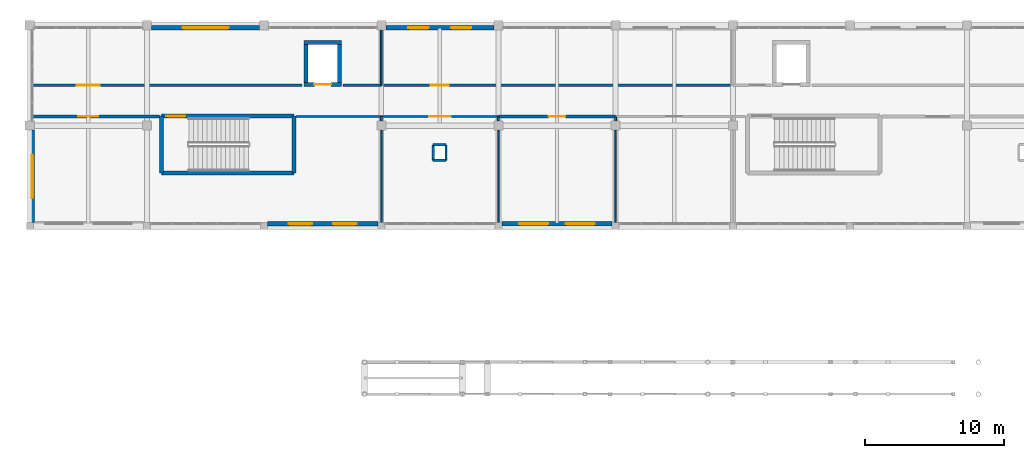
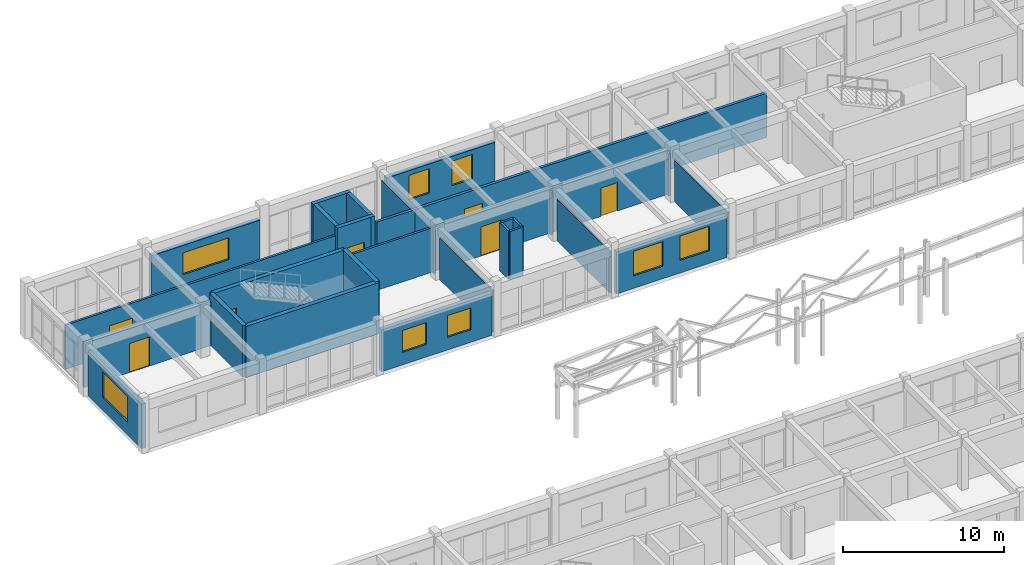
# One storey, part 76 of 89: 31 walls, 8 windows, 7 doors, 15 openings.
"""IFC4 building model written with IfcOpenShell, lengths in metres."""

from ifc_helpers import new_model, si_unit, direction, frame, frame_2d, origin, place, context, subcontext, project, spatial, rectangle, extrude, material, layer, layer_set, type_object, element, fill, save


model = new_model("IFC4")

# Units and contexts
model_context = context("Model", 3, precision=1e-05, world=origin(), true_north=direction((0.0, 1.0)))
body_context = subcontext(model_context, "Body", "Model", "MODEL_VIEW")
ifc_project = project(units=[si_unit("LENGTHUNIT", "METRE"), si_unit("AREAUNIT", "SQUARE_METRE"), si_unit("VOLUMEUNIT", "CUBIC_METRE"), si_unit("PLANEANGLEUNIT", "RADIAN"), si_unit("MASSUNIT", "GRAM", prefix="KILO")], contexts=[model_context])

# Site, building, storey
site_placement = place(None, origin())
site = spatial("IfcSite", under=ifc_project, at=site_placement, CompositionType="ELEMENT")
building_placement = place(site_placement, origin())
building = spatial("IfcBuilding", under=site, at=building_placement, Name="Malvenik Polytechnic", CompositionType="ELEMENT")
storey_placement = place(building_placement, frame((0.0, 0.0, 13.5)))
storey = spatial("IfcBuildingStorey", under=building, at=storey_placement, Name="L03", CompositionType="ELEMENT", Elevation=13.5)

# Wall, opening, door
ifc_material_1 = material(Name="Concrete C35/45", Category="concrete")
ifc_layer_1 = layer(ifc_material_1, 0.280029296875)
ifc_layer_set_1 = layer_set([ifc_layer_1], Name="Concrete C35/45")
wall_type_1 = type_object("IfcWallType", Name="ARC-CW-S280", PredefinedType="SHEAR", material=ifc_layer_set_1)
wall_1_placement = place(storey_placement, frame((22.340087890625, 125.35009765625, 0.0), z_axis=(0.0, 0.0, 1.0), x_axis=(-1.0, 0.0, 0.0)))
wall_1 = element("IfcWall", 1, at=wall_1_placement, inside=storey, type_object=wall_type_1, Name="Lift Shaft Shear Wall LS-01 L03 -Y", PredefinedType="SHEAR", context=body_context, shape_type="SweptSolid", body=[
    extrude(rectangle(XDim=2.68017578125, YDim=0.280029296875, at=frame_2d((1.340087890625, 0.0))), origin(), (0.0, 0.0, 1.0), 3.8798828125),
])
opening_1_placement = place(wall_1_placement, frame((0.739990234375, 0.0, 0.0)))
opening_1 = element("IfcOpeningElement", 2, at=opening_1_placement, cuts=wall_1, Name="Opening LD-02", PredefinedType="OPENING", context=body_context, shape_type="SweptSolid", body=[
    extrude(rectangle(XDim=1.199951171875, YDim=2.14990234375, at=frame_2d((0.60009765625, 1.074951171875))), frame((0.0, 0.14990234375, 0.0), z_axis=(0.0, -1.0, 0.0), x_axis=(1.0, 0.0, 0.0)), (0.0, 0.0, 1.0), 0.300048828125),
])
ifc_material_2 = material(Name="Stainless steel fire-rated sliding lift landing door", Category="steel")
door_type_1 = type_object("IfcDoorType", Name="ARC-LDR-LD-02", OperationType="NOTDEFINED", PredefinedType="DOOR", material=ifc_material_2)
door_1_placement = place(opening_1_placement, origin())
door_1 = element("IfcDoor", 3, at=door_1_placement, inside=storey, type_object=door_type_1, Name="Lift Sliding Landing Door LS-01 L03", OperationType="DOUBLE_DOOR_SLIDING", OverallHeight=2.14990234375, OverallWidth=1.199951171875, PredefinedType="DOOR", context=body_context, shape_type="SweptSolid", body=[
    extrude(rectangle(XDim=1.199951171875, YDim=2.14990234375, at=frame_2d((0.60009765625, 1.074951171875))), frame((0.0, 0.02490234375, 0.0), z_axis=(0.0, -1.0, 0.0), x_axis=(1.0, 0.0, 0.0)), (0.0, 0.0, 1.0), 0.050048828125),
])
fill(opening_1, door_1)

# Walls
wall_2_placement = place(storey_placement, frame((19.659912109375, 128.35009765625, 0.0), z_axis=(0.0, 0.0, 1.0), x_axis=(1.0, 0.0, 0.0)))
element("IfcWall", 4, at=wall_2_placement, inside=storey, type_object=wall_type_1, Name="Lift Shaft Shear Wall LS-01 L03 +Y", PredefinedType="SHEAR", context=body_context, shape_type="SweptSolid", body=[
    extrude(rectangle(XDim=2.68017578125, YDim=0.280029296875, at=frame_2d((1.340087890625, 0.0))), origin(), (0.0, 0.0, 1.0), 3.8798828125),
])
for number, where, z_axis, x_axis, name in (
    (5, (19.800048828125, 125.2099609375, 0.0), (0.0, 0.0, 1.0), (0.0, 1.0, 0.0), "Lift Shaft Shear Wall LS-01 L03 -X"),
    (6, (22.199951171875, 128.489990234375, 0.0), (0.0, 0.0, 1.0), (0.0, -1.0, 0.0), "Lift Shaft Shear Wall LS-01 L03 +X"),
):
    element("IfcWall", number, at=place(storey_placement, frame(where, z_axis=z_axis, x_axis=x_axis)), inside=storey, type_object=wall_type_1, Name=name, PredefinedType="SHEAR", context=body_context, shape_type="SweptSolid", body=[
        extrude(rectangle(XDim=3.280029296875, YDim=0.280029296875, at=frame_2d((1.64013671875, 0.0))), origin(), (0.0, 0.0, 1.0), 3.8798828125),
    ])
ifc_layer_2 = layer(ifc_material_1, 0.300048828125)
ifc_layer_set_2 = layer_set([ifc_layer_2], Name="Concrete C35/45")
wall_type_2 = type_object("IfcWallType", Name="ARC-CW-S300", PredefinedType="SHEAR", material=ifc_layer_set_2)
wall_3_placement = place(storey_placement, frame((9.449951171875, 119.0, 0.0), z_axis=(0.0, 0.0, 1.0), x_axis=(0.0, 1.0, 0.0)))
element("IfcWall", 7, at=wall_3_placement, inside=storey, type_object=wall_type_2, Name="Stair Core Shear Wall ST-01 L03 NEAR", PredefinedType="SHEAR", context=body_context, shape_type="SweptSolid", body=[
    extrude(rectangle(XDim=4.10009765625, YDim=0.300048828125, at=frame_2d((2.050048828125, 0.0))), origin(), (0.0, 0.0, 1.0), 3.8798828125),
])

# Wall, opening, door
wall_4_placement = place(storey_placement, frame((9.449951171875, 123.10009765625, 0.0), z_axis=(0.0, 0.0, 1.0), x_axis=(1.0, 0.0, 0.0)))
wall_4 = element("IfcWall", 8, at=wall_4_placement, inside=storey, type_object=wall_type_2, Name="Stair Core Shear Wall ST-01 L03 RGHT", PredefinedType="SHEAR", context=body_context, shape_type="SweptSolid", body=[
    extrude(rectangle(XDim=9.5, YDim=0.300048828125, at=frame_2d((4.75, 0.0))), origin(), (0.0, 0.0, 1.0), 3.8798828125),
])
opening_2_placement = place(wall_4_placement, frame((0.35009765625, 0.0, 0.0)))
opening_2 = element("IfcOpeningElement", 9, at=opening_2_placement, cuts=wall_4, Name="Opening SD-01", PredefinedType="OPENING", context=body_context, shape_type="SweptSolid", body=[
    extrude(rectangle(XDim=1.35009765625, YDim=2.199951171875, at=frame_2d((0.675048828125, 1.10009765625))), frame((0.0, 0.16015625, 0.0), z_axis=(0.0, -1.0, 0.0), x_axis=(1.0, 0.0, 0.0)), (0.0, 0.0, 1.0), 0.320068359375),
])
ifc_material_3 = material(Name="Fire-rated steel stair enclosure door", Category="steel")
door_type_2 = type_object("IfcDoorType", Name="ARC-IDR-SD-01", OperationType="NOTDEFINED", PredefinedType="DOOR", material=ifc_material_3)
door_2_placement = place(opening_2_placement, origin())
door_2 = element("IfcDoor", 10, at=door_2_placement, inside=storey, type_object=door_type_2, Name="Fire Stair Door ST-01 L03", OperationType="SINGLE_SWING_RIGHT", OverallHeight=2.199951171875, OverallWidth=1.35009765625, PredefinedType="DOOR", context=body_context, shape_type="SweptSolid", body=[
    extrude(rectangle(XDim=1.35009765625, YDim=2.199951171875, at=frame_2d((0.675048828125, 1.10009765625))), frame((0.0, 0.02490234375, 0.0), z_axis=(0.0, -1.0, 0.0), x_axis=(1.0, 0.0, 0.0)), (0.0, 0.0, 1.0), 0.050048828125),
])
fill(opening_2, door_2)

# Walls
wall_5_placement = place(storey_placement, frame((18.949951171875, 123.10009765625, 0.0), z_axis=(0.0, 0.0, 1.0), x_axis=(0.0, -1.0, 0.0)))
element("IfcWall", 11, at=wall_5_placement, inside=storey, type_object=wall_type_2, Name="Stair Core Shear Wall ST-01 L03 FAR", PredefinedType="SHEAR", context=body_context, shape_type="SweptSolid", body=[
    extrude(rectangle(XDim=4.10009765625, YDim=0.300048828125, at=frame_2d((2.050048828125, 0.0))), origin(), (0.0, 0.0, 1.0), 3.8798828125),
])
wall_6_placement = place(storey_placement, frame((18.949951171875, 119.0, 0.0), z_axis=(0.0, 0.0, 1.0), x_axis=(-1.0, 0.0, 0.0)))
element("IfcWall", 12, at=wall_6_placement, inside=storey, type_object=wall_type_2, Name="Stair Core Shear Wall ST-01 L03 LEFT", PredefinedType="SHEAR", context=body_context, shape_type="SweptSolid", body=[
    extrude(rectangle(XDim=9.5, YDim=0.300048828125, at=frame_2d((4.75, 0.0))), origin(), (0.0, 0.0, 1.0), 3.8798828125),
])

# Wall, openings, windows
ifc_material_4 = material(Name="Brick masonry M15", Category="masonry")
ifc_layer_3 = layer(ifc_material_4, 0.31005859375)
ifc_layer_set_3 = layer_set([ifc_layer_3], Name="Brick masonry M15")
wall_type_3 = type_object("IfcWallType", Name="ARC-EW-310", PredefinedType="SOLIDWALL", material=ifc_layer_set_3)
wall_7_placement = place(storey_placement, frame((41.751953125, 115.3701171875, 0.0), z_axis=(0.0, 0.0, 1.0), x_axis=(-1.0, 0.0, 0.0)))
wall_7 = element("IfcWall", 13, at=wall_7_placement, inside=storey, type_object=wall_type_3, Name="External Facade Wall EW-03 L03 #384", PredefinedType="SOLIDWALL", context=body_context, shape_type="SweptSolid", body=[
    extrude(rectangle(XDim=7.904052734375, YDim=0.31005859375, at=frame_2d((3.9521484375, 0.0))), origin(), (0.0, 0.0, 1.0), 3.159912109375),
])
opening_3_placement = place(wall_7_placement, frame((1.234619140625, 0.0, 0.949951171875)))
opening_3 = element("IfcOpeningElement", 14, at=opening_3_placement, cuts=wall_7, Name="Opening W-23", PredefinedType="OPENING", context=body_context, shape_type="SweptSolid", body=[
    extrude(rectangle(XDim=2.10009765625, YDim=1.85009765625, at=frame_2d((1.050048828125, 0.925048828125))), frame((0.0, 0.1650390625, 0.0), z_axis=(0.0, -1.0, 0.0), x_axis=(1.0, 0.0, 0.0)), (0.0, 0.0, 1.0), 0.330078125),
])
opening_4_placement = place(wall_7_placement, frame((4.5693359375, 0.0, 0.949951171875)))
opening_4 = element("IfcOpeningElement", 15, at=opening_4_placement, cuts=wall_7, Name="Opening W-23", PredefinedType="OPENING", context=body_context, shape_type="SweptSolid", body=[
    extrude(rectangle(XDim=2.10009765625, YDim=1.85009765625, at=frame_2d((1.050048828125, 0.925048828125))), frame((0.0, 0.1650390625, 0.0), z_axis=(0.0, -1.0, 0.0), x_axis=(1.0, 0.0, 0.0)), (0.0, 0.0, 1.0), 0.330078125),
])
ifc_material_5 = material(Name="Thermally broken aluminium frame with low-E double glazing", Category="aluminium")
window_type_1 = type_object("IfcWindowType", Name="ARC-WIN-W-23", PartitioningType="SINGLE_PANEL", PredefinedType="WINDOW", material=ifc_material_5)
window_1_placement = place(opening_3_placement, origin())
window_1 = element("IfcWindow", 16, at=window_1_placement, inside=storey, type_object=window_type_1, Name="Punched Window W-23 L03 #386", OverallHeight=1.85009765625, OverallWidth=2.10009765625, PartitioningType="SINGLE_PANEL", PredefinedType="WINDOW", context=body_context, shape_type="SweptSolid", body=[
    extrude(rectangle(XDim=2.10009765625, YDim=1.85009765625, at=frame_2d((1.050048828125, 0.925048828125))), frame((0.0, 0.030029296875, 0.0), z_axis=(0.0, -1.0, 0.0), x_axis=(1.0, 0.0, 0.0)), (0.0, 0.0, 1.0), 0.06005859375),
])
fill(opening_3, window_1)
window_2_placement = place(opening_4_placement, origin())
window_2 = element("IfcWindow", 17, at=window_2_placement, inside=storey, type_object=window_type_1, Name="Punched Window W-23 L03 #387", OverallHeight=1.85009765625, OverallWidth=2.10009765625, PartitioningType="SINGLE_PANEL", PredefinedType="WINDOW", context=body_context, shape_type="SweptSolid", body=[
    extrude(rectangle(XDim=2.10009765625, YDim=1.85009765625, at=frame_2d((1.050048828125, 0.925048828125))), frame((0.0, 0.030029296875, 0.0), z_axis=(0.0, -1.0, 0.0), x_axis=(1.0, 0.0, 0.0)), (0.0, 0.0, 1.0), 0.06005859375),
])
fill(opening_4, window_2)

wall_8_placement = place(storey_placement, frame((24.951904296875, 115.3701171875, 0.0), z_axis=(0.0, 0.0, 1.0), x_axis=(-1.0, 0.0, 0.0)))
wall_8 = element("IfcWall", 18, at=wall_8_placement, inside=storey, type_object=wall_type_3, Name="External Facade Wall EW-03 L03 #385", PredefinedType="SOLIDWALL", context=body_context, shape_type="SweptSolid", body=[
    extrude(rectangle(XDim=7.90380859375, YDim=0.31005859375, at=frame_2d((3.951904296875, 0.0))), origin(), (0.0, 0.0, 1.0), 3.159912109375),
])
opening_5_placement = place(wall_8_placement, frame((1.501220703125, 0.0, 0.949951171875)))
opening_5 = element("IfcOpeningElement", 19, at=opening_5_placement, cuts=wall_8, Name="Opening W-25", PredefinedType="OPENING", context=body_context, shape_type="SweptSolid", body=[
    extrude(rectangle(XDim=1.699951171875, YDim=1.64990234375, at=frame_2d((0.85009765625, 0.824951171875))), frame((0.0, 0.1650390625, 0.0), z_axis=(0.0, -1.0, 0.0), x_axis=(1.0, 0.0, 0.0)), (0.0, 0.0, 1.0), 0.330078125),
])
opening_6_placement = place(wall_8_placement, frame((4.70263671875, 0.0, 0.949951171875)))
opening_6 = element("IfcOpeningElement", 20, at=opening_6_placement, cuts=wall_8, Name="Opening W-25", PredefinedType="OPENING", context=body_context, shape_type="SweptSolid", body=[
    extrude(rectangle(XDim=1.699951171875, YDim=1.64990234375, at=frame_2d((0.85009765625, 0.824951171875))), frame((0.0, 0.1650390625, 0.0), z_axis=(0.0, -1.0, 0.0), x_axis=(1.0, 0.0, 0.0)), (0.0, 0.0, 1.0), 0.330078125),
])
window_type_2 = type_object("IfcWindowType", Name="ARC-WIN-W-25", PartitioningType="SINGLE_PANEL", PredefinedType="WINDOW", material=ifc_material_5)
window_3_placement = place(opening_5_placement, origin())
window_3 = element("IfcWindow", 21, at=window_3_placement, inside=storey, type_object=window_type_2, Name="Punched Window W-25 L03 #388", OverallHeight=1.64990234375, OverallWidth=1.699951171875, PartitioningType="SINGLE_PANEL", PredefinedType="WINDOW", context=body_context, shape_type="SweptSolid", body=[
    extrude(rectangle(XDim=1.699951171875, YDim=1.64990234375, at=frame_2d((0.85009765625, 0.824951171875))), frame((0.0, 0.030029296875, 0.0), z_axis=(0.0, -1.0, 0.0), x_axis=(1.0, 0.0, 0.0)), (0.0, 0.0, 1.0), 0.06005859375),
])
fill(opening_5, window_3)
window_4_placement = place(opening_6_placement, origin())
window_4 = element("IfcWindow", 22, at=window_4_placement, inside=storey, type_object=window_type_2, Name="Punched Window W-25 L03 #389", OverallHeight=1.64990234375, OverallWidth=1.699951171875, PartitioningType="SINGLE_PANEL", PredefinedType="WINDOW", context=body_context, shape_type="SweptSolid", body=[
    extrude(rectangle(XDim=1.699951171875, YDim=1.64990234375, at=frame_2d((0.85009765625, 0.824951171875))), frame((0.0, 0.030029296875, 0.0), z_axis=(0.0, -1.0, 0.0), x_axis=(1.0, 0.0, 0.0)), (0.0, 0.0, 1.0), 0.06005859375),
])
fill(opening_6, window_4)

# Wall, opening, window
wall_9_placement = place(storey_placement, frame((0.169921875, 115.447998046875, 0.0), z_axis=(0.0, 0.0, 1.0), x_axis=(0.0, 1.0, 0.0)))
wall_9 = element("IfcWall", 23, at=wall_9_placement, inside=storey, type_object=wall_type_3, Name="External Facade Wall EW-03 L03 #387", PredefinedType="SOLIDWALL", context=body_context, shape_type="SweptSolid", body=[
    extrude(rectangle(XDim=6.62890625, YDim=0.31005859375, at=frame_2d((3.314453125, 0.0))), origin(), (0.0, 0.0, 1.0), 3.360107421875),
])
opening_7_placement = place(wall_9_placement, frame((1.764404296875, 0.0, 0.949951171875)))
opening_7 = element("IfcOpeningElement", 24, at=opening_7_placement, cuts=wall_9, Name="Opening W-29", PredefinedType="OPENING", context=body_context, shape_type="SweptSolid", body=[
    extrude(rectangle(XDim=3.10009765625, YDim=1.949951171875, at=frame_2d((1.550048828125, 0.97509765625))), frame((0.0, 0.1650390625, 0.0), z_axis=(0.0, -1.0, 0.0), x_axis=(1.0, 0.0, 0.0)), (0.0, 0.0, 1.0), 0.330078125),
])
window_type_3 = type_object("IfcWindowType", Name="ARC-WIN-W-29", PartitioningType="SINGLE_PANEL", PredefinedType="WINDOW", material=ifc_material_5)
window_5_placement = place(opening_7_placement, origin())
window_5 = element("IfcWindow", 25, at=window_5_placement, inside=storey, type_object=window_type_3, Name="Punched Window W-29 L03 #392", OverallHeight=1.949951171875, OverallWidth=3.10009765625, PartitioningType="SINGLE_PANEL", PredefinedType="WINDOW", context=body_context, shape_type="SweptSolid", body=[
    extrude(rectangle(XDim=3.10009765625, YDim=1.949951171875, at=frame_2d((1.550048828125, 0.97509765625))), frame((0.0, 0.030029296875, 0.0), z_axis=(0.0, -1.0, 0.0), x_axis=(1.0, 0.0, 0.0)), (0.0, 0.0, 1.0), 0.06005859375),
])
fill(opening_7, window_5)

wall_10_placement = place(storey_placement, frame((8.722900390625, 129.429931640625, 0.0), z_axis=(0.0, 0.0, 1.0), x_axis=(1.0, 0.0, 0.0)))
wall_10 = element("IfcWall", 26, at=wall_10_placement, inside=storey, type_object=wall_type_3, Name="External Facade Wall EW-03 L03 #388", PredefinedType="SOLIDWALL", context=body_context, shape_type="SweptSolid", body=[
    extrude(rectangle(XDim=7.754150390625, YDim=0.31005859375, at=frame_2d((3.876953125, 0.0))), origin(), (0.0, 0.0, 1.0), 3.159912109375),
])
opening_8_placement = place(wall_10_placement, frame((2.22705078125, 0.0, 0.949951171875)))
opening_8 = element("IfcOpeningElement", 27, at=opening_8_placement, cuts=wall_10, Name="Opening W-30", PredefinedType="OPENING", context=body_context, shape_type="SweptSolid", body=[
    extrude(rectangle(XDim=3.300048828125, YDim=1.64990234375, at=frame_2d((1.64990234375, 0.824951171875))), frame((0.0, 0.1650390625, 0.0), z_axis=(0.0, -1.0, 0.0), x_axis=(1.0, 0.0, 0.0)), (0.0, 0.0, 1.0), 0.330078125),
])
window_type_4 = type_object("IfcWindowType", Name="ARC-WIN-W-30", PartitioningType="SINGLE_PANEL", PredefinedType="WINDOW", material=ifc_material_5)
window_6_placement = place(opening_8_placement, origin())
window_6 = element("IfcWindow", 28, at=window_6_placement, inside=storey, type_object=window_type_4, Name="Punched Window W-30 L03 #393", OverallHeight=1.64990234375, OverallWidth=3.300048828125, PartitioningType="SINGLE_PANEL", PredefinedType="WINDOW", context=body_context, shape_type="SweptSolid", body=[
    extrude(rectangle(XDim=3.300048828125, YDim=1.64990234375, at=frame_2d((1.64990234375, 0.824951171875))), frame((0.0, 0.030029296875, 0.0), z_axis=(0.0, -1.0, 0.0), x_axis=(1.0, 0.0, 0.0)), (0.0, 0.0, 1.0), 0.06005859375),
])
fill(opening_8, window_6)

# Wall, openings, windows
wall_11_placement = place(storey_placement, frame((25.52294921875, 129.429931640625, 0.0), z_axis=(0.0, 0.0, 1.0), x_axis=(1.0, 0.0, 0.0)))
wall_11 = element("IfcWall", 29, at=wall_11_placement, inside=storey, type_object=wall_type_3, Name="External Facade Wall EW-03 L03 #389", PredefinedType="SOLIDWALL", context=body_context, shape_type="SweptSolid", body=[
    extrude(rectangle(XDim=7.754150390625, YDim=0.31005859375, at=frame_2d((3.876953125, 0.0))), origin(), (0.0, 0.0, 1.0), 3.159912109375),
])
opening_9_placement = place(wall_11_placement, frame((1.617919921875, 0.0, 0.949951171875)))
opening_9 = element("IfcOpeningElement", 30, at=opening_9_placement, cuts=wall_11, Name="Opening W-31", PredefinedType="OPENING", context=body_context, shape_type="SweptSolid", body=[
    extrude(rectangle(XDim=1.449951171875, YDim=1.85009765625, at=frame_2d((0.72509765625, 0.925048828125))), frame((0.0, 0.1650390625, 0.0), z_axis=(0.0, -1.0, 0.0), x_axis=(1.0, 0.0, 0.0)), (0.0, 0.0, 1.0), 0.330078125),
])
opening_10_placement = place(wall_11_placement, frame((4.68603515625, 0.0, 0.949951171875)))
opening_10 = element("IfcOpeningElement", 31, at=opening_10_placement, cuts=wall_11, Name="Opening W-31", PredefinedType="OPENING", context=body_context, shape_type="SweptSolid", body=[
    extrude(rectangle(XDim=1.449951171875, YDim=1.85009765625, at=frame_2d((0.72509765625, 0.925048828125))), frame((0.0, 0.1650390625, 0.0), z_axis=(0.0, -1.0, 0.0), x_axis=(1.0, 0.0, 0.0)), (0.0, 0.0, 1.0), 0.330078125),
])
window_type_5 = type_object("IfcWindowType", Name="ARC-WIN-W-31", PartitioningType="SINGLE_PANEL", PredefinedType="WINDOW", material=ifc_material_5)
window_7_placement = place(opening_9_placement, origin())
window_7 = element("IfcWindow", 32, at=window_7_placement, inside=storey, type_object=window_type_5, Name="Punched Window W-31 L03 #394", OverallHeight=1.85009765625, OverallWidth=1.449951171875, PartitioningType="SINGLE_PANEL", PredefinedType="WINDOW", context=body_context, shape_type="SweptSolid", body=[
    extrude(rectangle(XDim=1.449951171875, YDim=1.85009765625, at=frame_2d((0.72509765625, 0.925048828125))), frame((0.0, 0.030029296875, 0.0), z_axis=(0.0, -1.0, 0.0), x_axis=(1.0, 0.0, 0.0)), (0.0, 0.0, 1.0), 0.06005859375),
])
fill(opening_9, window_7)
window_8_placement = place(opening_10_placement, origin())
window_8 = element("IfcWindow", 33, at=window_8_placement, inside=storey, type_object=window_type_5, Name="Punched Window W-31 L03 #395", OverallHeight=1.85009765625, OverallWidth=1.449951171875, PartitioningType="SINGLE_PANEL", PredefinedType="WINDOW", context=body_context, shape_type="SweptSolid", body=[
    extrude(rectangle(XDim=1.449951171875, YDim=1.85009765625, at=frame_2d((0.72509765625, 0.925048828125))), frame((0.0, 0.030029296875, 0.0), z_axis=(0.0, -1.0, 0.0), x_axis=(1.0, 0.0, 0.0)), (0.0, 0.0, 1.0), 0.06005859375),
])
fill(opening_10, window_8)

# Wall
ifc_material_6 = material(Name="Calcium silicate fire-rated blockwork 200mm", Category="masonry")
ifc_layer_4 = layer(ifc_material_6, 0.199951171875)
ifc_layer_set_4 = layer_set([ifc_layer_4], Name="Calcium silicate fire-rated blockwork 200mm")
wall_type_4 = type_object("IfcWallType", Name="ARC-FW-200", PredefinedType="SOLIDWALL", material=ifc_layer_set_4)
wall_12_placement = place(storey_placement, frame((22.469970703125, 125.300048828125, 0.0), z_axis=(0.0, 0.0, 1.0), x_axis=(1.0, 0.0, 0.0)))
element("IfcWall", 34, at=wall_12_placement, inside=storey, type_object=wall_type_4, Name="Interior Partition FW-02 L03 #300", PredefinedType="SOLIDWALL", context=body_context, shape_type="SweptSolid", body=[
    extrude(rectangle(XDim=2.72998046875, YDim=0.199951171875, at=frame_2d((1.364990234375, 0.0))), origin(), (0.0, 0.0, 1.0), 3.35498046875),
])

# Wall, opening, door
wall_13_placement = place(storey_placement, frame((25.199951171875, 125.300048828125, 0.0), z_axis=(0.0, 0.0, 1.0), x_axis=(1.0, 0.0, 0.0)))
wall_13 = element("IfcWall", 35, at=wall_13_placement, inside=storey, type_object=wall_type_4, Name="Interior Partition FW-02 L03 #302", PredefinedType="SOLIDWALL", context=body_context, shape_type="SweptSolid", body=[
    extrude(rectangle(XDim=25.199951171875, YDim=0.199951171875, at=frame_2d((12.60009765625, 0.0))), origin(), (0.0, 0.0, 1.0), 3.35498046875),
])
opening_11_placement = place(wall_13_placement, frame((3.550048828125, 0.0, 0.0)))
opening_11 = element("IfcOpeningElement", 36, at=opening_11_placement, cuts=wall_13, Name="Opening FD-04", PredefinedType="OPENING", context=body_context, shape_type="SweptSolid", body=[
    extrude(rectangle(XDim=1.300048828125, YDim=2.14990234375, at=frame_2d((0.64990234375, 1.074951171875))), frame((0.0, 0.10986328125, 0.0), z_axis=(0.0, -1.0, 0.0), x_axis=(1.0, 0.0, 0.0)), (0.0, 0.0, 1.0), 0.219970703125),
])
ifc_material_7 = material(Name="Fire-rated plant room steel door", Category="steel")
door_type_3 = type_object("IfcDoorType", Name="ARC-IDR-FD-04", OperationType="NOTDEFINED", PredefinedType="DOOR", material=ifc_material_7)
door_3_placement = place(opening_11_placement, origin())
door_3 = element("IfcDoor", 37, at=door_3_placement, inside=storey, type_object=door_type_3, Name="Interior Door FD-04 L03 #130", OperationType="SINGLE_SWING_RIGHT", OverallHeight=2.14990234375, OverallWidth=1.300048828125, PredefinedType="DOOR", context=body_context, shape_type="SweptSolid", body=[
    extrude(rectangle(XDim=1.300048828125, YDim=2.14990234375, at=frame_2d((0.64990234375, 1.074951171875))), frame((0.0, 0.02490234375, 0.0), z_axis=(0.0, -1.0, 0.0), x_axis=(1.0, 0.0, 0.0)), (0.0, 0.0, 1.0), 0.050048828125),
])
fill(opening_11, door_3)

wall_14_placement = place(storey_placement, frame((9.31005859375, 123.050048828125, 0.0), z_axis=(0.0, 0.0, 1.0), x_axis=(-1.0, 0.0, 0.0)))
wall_14 = element("IfcWall", 38, at=wall_14_placement, inside=storey, type_object=wall_type_4, Name="Interior Partition FW-02 L03 #310", PredefinedType="SOLIDWALL", context=body_context, shape_type="SweptSolid", body=[
    extrude(rectangle(XDim=9.090087890625, YDim=0.199951171875, at=frame_2d((4.544921875, 0.0))), origin(), (0.0, 0.0, 1.0), 3.35498046875),
])
opening_12_placement = place(wall_14_placement, frame((4.385009765625, 0.0, 0.0)))
opening_12 = element("IfcOpeningElement", 39, at=opening_12_placement, cuts=wall_14, Name="Opening FD-08", PredefinedType="OPENING", context=body_context, shape_type="SweptSolid", body=[
    extrude(rectangle(XDim=1.449951171875, YDim=2.199951171875, at=frame_2d((0.72509765625, 1.10009765625))), frame((0.0, 0.10986328125, 0.0), z_axis=(0.0, -1.0, 0.0), x_axis=(1.0, 0.0, 0.0)), (0.0, 0.0, 1.0), 0.219970703125),
])
ifc_material_8 = material(Name="Fire-rated seminar corridor door", Category="steel")
door_type_4 = type_object("IfcDoorType", Name="ARC-IDR-FD-08", OperationType="NOTDEFINED", PredefinedType="DOOR", material=ifc_material_8)
door_4_placement = place(opening_12_placement, origin())
door_4 = element("IfcDoor", 40, at=door_4_placement, inside=storey, type_object=door_type_4, Name="Interior Door FD-08 L03 #133", OperationType="SINGLE_SWING_LEFT", OverallHeight=2.199951171875, OverallWidth=1.449951171875, PredefinedType="DOOR", context=body_context, shape_type="SweptSolid", body=[
    extrude(rectangle(XDim=1.449951171875, YDim=2.199951171875, at=frame_2d((0.72509765625, 1.10009765625))), frame((0.0, 0.02490234375, 0.0), z_axis=(0.0, -1.0, 0.0), x_axis=(1.0, 0.0, 0.0)), (0.0, 0.0, 1.0), 0.050048828125),
])
fill(opening_12, door_4)

wall_15_placement = place(storey_placement, frame((42.0, 123.050048828125, 0.0), z_axis=(0.0, 0.0, 1.0), x_axis=(-1.0, 0.0, 0.0)))
wall_15 = element("IfcWall", 41, at=wall_15_placement, inside=storey, type_object=wall_type_4, Name="Interior Partition FW-02 L03 #316", PredefinedType="SOLIDWALL", context=body_context, shape_type="SweptSolid", body=[
    extrude(rectangle(XDim=8.39990234375, YDim=0.199951171875, at=frame_2d((4.199951171875, 0.0))), origin(), (0.0, 0.0, 1.0), 3.35498046875),
])
opening_13_placement = place(wall_15_placement, frame((3.60009765625, 0.0, 0.0)))
opening_13 = element("IfcOpeningElement", 42, at=opening_13_placement, cuts=wall_15, Name="Opening FD-10", PredefinedType="OPENING", context=body_context, shape_type="SweptSolid", body=[
    extrude(rectangle(XDim=1.199951171875, YDim=2.14990234375, at=frame_2d((0.60009765625, 1.074951171875))), frame((0.0, 0.10986328125, 0.0), z_axis=(0.0, -1.0, 0.0), x_axis=(1.0, 0.0, 0.0)), (0.0, 0.0, 1.0), 0.219970703125),
])
ifc_material_9 = material(Name="Fire-rated laboratory corridor door", Category="steel")
door_type_5 = type_object("IfcDoorType", Name="ARC-IDR-FD-10", OperationType="NOTDEFINED", PredefinedType="DOOR", material=ifc_material_9)
door_5_placement = place(opening_13_placement, origin())
door_5 = element("IfcDoor", 43, at=door_5_placement, inside=storey, type_object=door_type_5, Name="Interior Door FD-10 L03 #135", OperationType="SINGLE_SWING_RIGHT", OverallHeight=2.14990234375, OverallWidth=1.199951171875, PredefinedType="DOOR", context=body_context, shape_type="SweptSolid", body=[
    extrude(rectangle(XDim=1.199951171875, YDim=2.14990234375, at=frame_2d((0.60009765625, 1.074951171875))), frame((0.0, 0.02490234375, 0.0), z_axis=(0.0, -1.0, 0.0), x_axis=(1.0, 0.0, 0.0)), (0.0, 0.0, 1.0), 0.050048828125),
])
fill(opening_13, door_5)

# Walls
ifc_material_10 = material(Name="Lightweight gypsum partition 110mm", Category="gypsum")
ifc_layer_5 = layer(ifc_material_10, 0.110107421875)
ifc_layer_set_5 = layer_set([ifc_layer_5], Name="Lightweight gypsum partition 110mm")
wall_type_5 = type_object("IfcWallType", Name="ARC-PW-110", PredefinedType="PARTITIONING", material=ifc_layer_set_5)
for number, where, z_axis, x_axis, name in (
    (44, (25.199951171875, 115.469970703125, 0.0), (0.0, 0.0, 1.0), (0.0, 1.0, 0.0), "Interior Partition PW-04I L03 #311"),
    (45, (33.60009765625, 115.469970703125, 0.0), (0.0, 0.0, 1.0), (0.0, 1.0, 0.0), "Interior Partition PW-04I L03 #314"),
    (46, (42.0, 115.469970703125, 0.0), (0.0, 0.0, 1.0), (0.0, 1.0, 0.0), "Interior Partition PW-04I L03 #317"),
):
    element("IfcWall", number, at=place(storey_placement, frame(where, z_axis=z_axis, x_axis=x_axis)), inside=storey, type_object=wall_type_5, Name=name, PredefinedType="PARTITIONING", context=body_context, shape_type="SweptSolid", body=[
        extrude(rectangle(XDim=6.5849609375, YDim=0.110107421875, at=frame_2d((3.29248046875, 0.0))), origin(), (0.0, 0.0, 1.0), 3.155029296875),
    ])
ifc_material_11 = material(Name="Metal-stud gypsum board partition 125mm", Category="gypsum")
ifc_layer_6 = layer(ifc_material_11, 0.125)
ifc_layer_set_6 = layer_set([ifc_layer_6], Name="Metal-stud gypsum board partition 125mm")
wall_type_6 = type_object("IfcWallType", Name="ARC-PW-125", PredefinedType="PARTITIONING", material=ifc_layer_set_6)
wall_16_placement = place(storey_placement, frame((25.199951171875, 125.300048828125, 0.0), z_axis=(0.0, 0.0, 1.0), x_axis=(0.0, 1.0, 0.0)))
element("IfcWall", 47, at=wall_16_placement, inside=storey, type_object=wall_type_6, Name="Interior Partition PW-03I L03 #301", PredefinedType="PARTITIONING", context=body_context, shape_type="SweptSolid", body=[
    extrude(rectangle(XDim=3.954833984375, YDim=0.125, at=frame_2d((1.9775390625, 0.0))), origin(), (0.0, 0.0, 1.0), 3.155029296875),
])
ifc_material_12 = material(Name="Acoustic metal-stud gypsum partition 140mm", Category="gypsum")
ifc_layer_7 = layer(ifc_material_12, 0.139892578125)
ifc_layer_set_7 = layer_set([ifc_layer_7], Name="Acoustic metal-stud gypsum partition 140mm")
wall_type_7 = type_object("IfcWallType", Name="ARC-PW-140", PredefinedType="PARTITIONING", material=ifc_layer_set_7)
for number, where, z_axis, x_axis, name in (
    (48, (25.199951171875, 122.7451171875, 0.0), (0.0, 0.0, 1.0), (0.0, 1.0, 0.0), "Interior Partition PW-02I L03 #312"),
    (49, (33.60009765625, 122.7451171875, 0.0), (0.0, 0.0, 1.0), (0.0, 1.0, 0.0), "Interior Partition PW-02I L03 #315"),
    (50, (42.0, 122.7451171875, 0.0), (0.0, 0.0, 1.0), (0.0, 1.0, 0.0), "Interior Partition PW-02I L03 #318"),
):
    element("IfcWall", number, at=place(storey_placement, frame(where, z_axis=z_axis, x_axis=x_axis)), inside=storey, type_object=wall_type_7, Name=name, PredefinedType="PARTITIONING", context=body_context, shape_type="SweptSolid", body=[
        extrude(rectangle(XDim=0.304931640625, YDim=0.139892578125, at=frame_2d((0.15234375, 0.0))), origin(), (0.0, 0.0, 1.0), 3.22509765625),
    ])
ifc_material_13 = material(Name="Double-stud acoustic gypsum board partition 160mm", Category="gypsum")
ifc_layer_8 = layer(ifc_material_13, 0.159912109375)
ifc_layer_set_8 = layer_set([ifc_layer_8], Name="Double-stud acoustic gypsum board partition 160mm")
wall_type_8 = type_object("IfcWallType", Name="ARC-PW-160", PredefinedType="PARTITIONING", material=ifc_layer_set_8)
for number, where, z_axis, x_axis, name in (
    (51, (28.919921875, 119.919921875, 0.0), (0.0, 0.0, 1.0), (1.0, 0.0, 0.0), "Riser Shaft Enclosure L03 #38S"),
    (52, (29.830078125, 121.030029296875, 0.0), (0.0, 0.0, 1.0), (-1.0, 0.0, 0.0), "Riser Shaft Enclosure L03 #38N"),
):
    element("IfcWall", number, at=place(storey_placement, frame(where, z_axis=z_axis, x_axis=x_axis)), inside=storey, type_object=wall_type_8, Name=name, PredefinedType="PARTITIONING", context=body_context, shape_type="SweptSolid", body=[
        extrude(rectangle(XDim=0.91015625, YDim=0.159912109375, at=frame_2d((0.455078125, 0.0))), origin(), (0.0, 0.0, 1.0), 3.64990234375),
    ])
for number, where, z_axis, x_axis, name in (
    (53, (28.919921875, 121.030029296875, 0.0), (0.0, 0.0, 1.0), (0.0, -1.0, 0.0), "Riser Shaft Enclosure L03 #38W"),
    (54, (29.830078125, 119.919921875, 0.0), (0.0, 0.0, 1.0), (0.0, 1.0, 0.0), "Riser Shaft Enclosure L03 #38E"),
):
    element("IfcWall", number, at=place(storey_placement, frame(where, z_axis=z_axis, x_axis=x_axis)), inside=storey, type_object=wall_type_8, Name=name, PredefinedType="PARTITIONING", context=body_context, shape_type="SweptSolid", body=[
        extrude(rectangle(XDim=1.110107421875, YDim=0.159912109375, at=frame_2d((0.55517578125, 0.0))), origin(), (0.0, 0.0, 1.0), 3.64990234375),
    ])

# Wall, opening, door
wall_17_placement = place(storey_placement, frame((0.219970703125, 125.300048828125, 0.0), z_axis=(0.0, 0.0, 1.0), x_axis=(1.0, 0.0, 0.0)))
wall_17 = element("IfcWall", 55, at=wall_17_placement, inside=storey, type_object=wall_type_8, Name="Interior Partition PW-01I L03 #299", PredefinedType="PARTITIONING", context=body_context, shape_type="SweptSolid", body=[
    extrude(rectangle(XDim=19.31005859375, YDim=0.159912109375, at=frame_2d((9.655029296875, 0.0))), origin(), (0.0, 0.0, 1.0), 3.35498046875),
])
opening_14_placement = place(wall_17_placement, frame((3.155029296875, 0.0, 0.0)))
opening_14 = element("IfcOpeningElement", 56, at=opening_14_placement, cuts=wall_17, Name="Opening FD-03", PredefinedType="OPENING", context=body_context, shape_type="SweptSolid", body=[
    extrude(rectangle(XDim=1.64990234375, YDim=2.199951171875, at=frame_2d((0.824951171875, 1.10009765625))), frame((0.0, 0.08984375, 0.0), z_axis=(0.0, -1.0, 0.0), x_axis=(1.0, 0.0, 0.0)), (0.0, 0.0, 1.0), 0.179931640625),
])
ifc_material_14 = material(Name="Fire-rated double-leaf laboratory door", Category="steel")
door_type_6 = type_object("IfcDoorType", Name="ARC-IDR-FD-03", OperationType="NOTDEFINED", PredefinedType="DOOR", material=ifc_material_14)
door_6_placement = place(opening_14_placement, origin())
door_6 = element("IfcDoor", 57, at=door_6_placement, inside=storey, type_object=door_type_6, Name="Interior Door FD-03 L03 #129", OperationType="DOUBLE_DOOR_SINGLE_SWING", OverallHeight=2.199951171875, OverallWidth=1.64990234375, PredefinedType="DOOR", context=body_context, shape_type="SweptSolid", body=[
    extrude(rectangle(XDim=1.64990234375, YDim=2.199951171875, at=frame_2d((0.824951171875, 1.10009765625))), frame((0.0, 0.02490234375, 0.0), z_axis=(0.0, -1.0, 0.0), x_axis=(1.0, 0.0, 0.0)), (0.0, 0.0, 1.0), 0.050048828125),
])
fill(opening_14, door_6)

# Wall
wall_18_placement = place(storey_placement, frame((25.199951171875, 123.050048828125, 0.0), z_axis=(0.0, 0.0, 1.0), x_axis=(-1.0, 0.0, 0.0)))
element("IfcWall", 58, at=wall_18_placement, inside=storey, type_object=wall_type_8, Name="Interior Partition PW-01I L03 #309", PredefinedType="PARTITIONING", context=body_context, shape_type="SweptSolid", body=[
    extrude(rectangle(XDim=6.10986328125, YDim=0.159912109375, at=frame_2d((3.054931640625, 0.0))), origin(), (0.0, 0.0, 1.0), 3.35498046875),
])

# Wall, opening, door
wall_19_placement = place(storey_placement, frame((33.60009765625, 123.050048828125, 0.0), z_axis=(0.0, 0.0, 1.0), x_axis=(-1.0, 0.0, 0.0)))
wall_19 = element("IfcWall", 59, at=wall_19_placement, inside=storey, type_object=wall_type_8, Name="Interior Partition PW-01I L03 #313", PredefinedType="PARTITIONING", context=body_context, shape_type="SweptSolid", body=[
    extrude(rectangle(XDim=8.400146484375, YDim=0.159912109375, at=frame_2d((4.2001953125, 0.0))), origin(), (0.0, 0.0, 1.0), 3.35498046875),
])
opening_15_placement = place(wall_19_placement, frame((3.425048828125, 0.0, 0.0)))
opening_15 = element("IfcOpeningElement", 60, at=opening_15_placement, cuts=wall_19, Name="Opening FD-09", PredefinedType="OPENING", context=body_context, shape_type="SweptSolid", body=[
    extrude(rectangle(XDim=1.550048828125, YDim=2.199951171875, at=frame_2d((0.77490234375, 1.10009765625))), frame((0.0, 0.08984375, 0.0), z_axis=(0.0, -1.0, 0.0), x_axis=(1.0, 0.0, 0.0)), (0.0, 0.0, 1.0), 0.179931640625),
])
ifc_material_15 = material(Name="Fire-rated studio corridor double door", Category="steel")
door_type_7 = type_object("IfcDoorType", Name="ARC-IDR-FD-09", OperationType="NOTDEFINED", PredefinedType="DOOR", material=ifc_material_15)
door_7_placement = place(opening_15_placement, origin())
door_7 = element("IfcDoor", 61, at=door_7_placement, inside=storey, type_object=door_type_7, Name="Interior Door FD-09 L03 #134", OperationType="DOUBLE_DOOR_SINGLE_SWING", OverallHeight=2.199951171875, OverallWidth=1.550048828125, PredefinedType="DOOR", context=body_context, shape_type="SweptSolid", body=[
    extrude(rectangle(XDim=1.550048828125, YDim=2.199951171875, at=frame_2d((0.77490234375, 1.10009765625))), frame((0.0, 0.02490234375, 0.0), z_axis=(0.0, -1.0, 0.0), x_axis=(1.0, 0.0, 0.0)), (0.0, 0.0, 1.0), 0.050048828125),
])
fill(opening_15, door_7)

save(model, "model.ifc")
